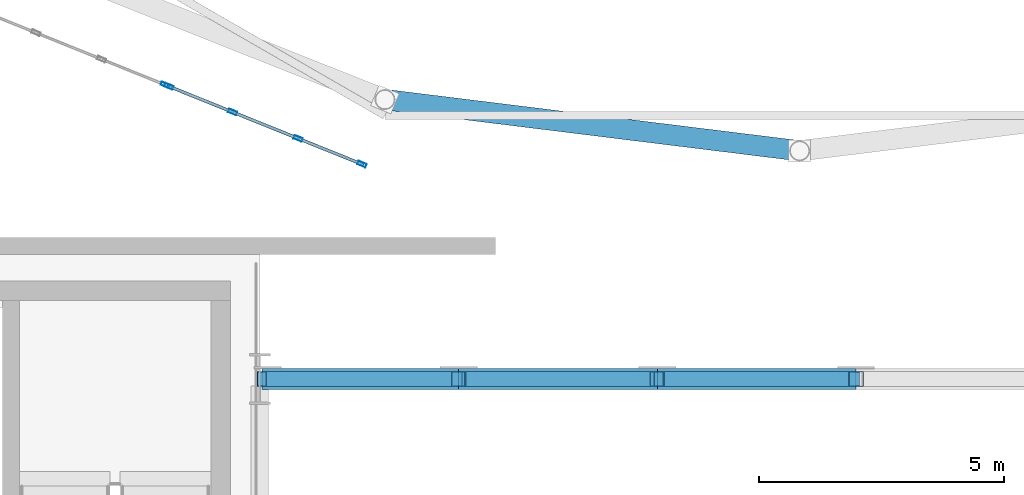
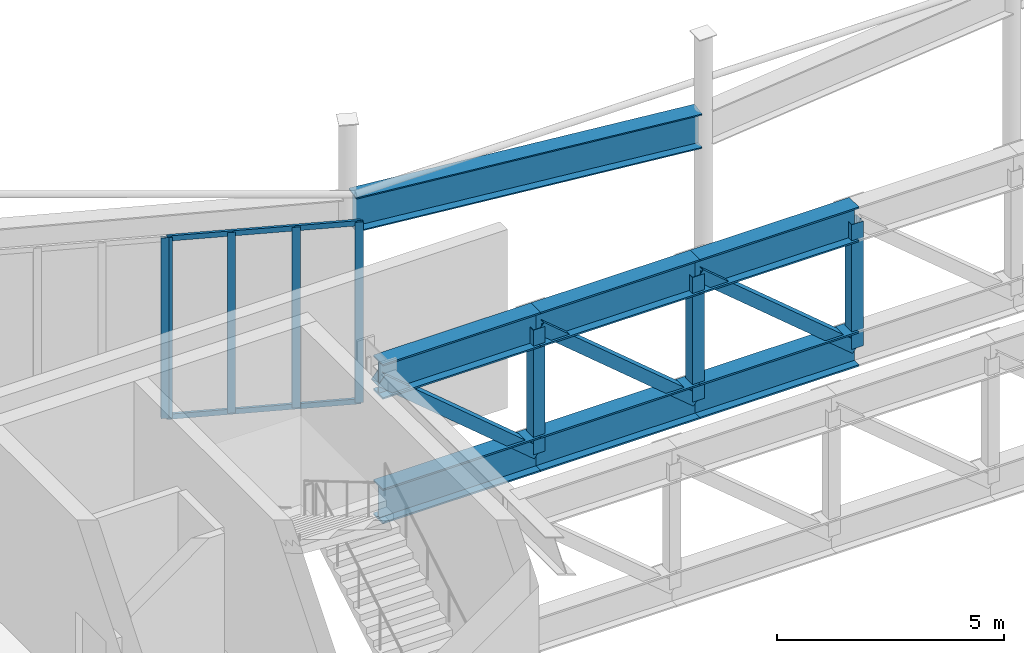
# One storey, part 27 of 91: 13 members, 7 beams, 2 elements without a shape of their own.
"""IFC4 building model written with IfcOpenShell, lengths in metres."""

import ifcopenshell
import ifcopenshell.guid

model = None  # the IFC model being written
_history = None  # IfcOwnerHistory: only IFC2X3 demands one
_inside = {}  # id of a spatial element -> (the spatial element, [elements in it])
_under = {}  # id of a project, library or spatial element -> (it, [spatial elements below it])
_declared = {}  # id of a project -> (the project, [libraries it declares])
_typed = {}  # id of a type object -> (the type object, [elements of that type])
_made_of = {}  # id of a material, layer set ... -> (it, [elements and type objects made of it])


def new_model(schema):
    """Start an empty IFC model of exactly this schema.

    Asked for "IFC4X3", IfcOpenShell would pick the latest addendum, in which some entities
    have other attributes; the version numbers below select the first issue.
    IFC2X3 requires an IfcOwnerHistory on every rooted entity: one is made here for all.
    """
    global model, _history
    if schema == "IFC4X3":
        model = ifcopenshell.file(schema_version=(4, 3, 0, 0))
    else:
        model = ifcopenshell.file(schema=schema)
    _inside.clear()
    _under.clear()
    _declared.clear()
    _typed.clear()
    _made_of.clear()
    _history = None
    if model.schema == "IFC2X3":
        org = make("IfcOrganization", Name="unknown")
        user = make(
            "IfcPersonAndOrganization",
            ThePerson=make("IfcPerson", FamilyName="unknown"),
            TheOrganization=org,
        )
        app = make(
            "IfcApplication",
            ApplicationDeveloper=org,
            Version="unknown",
            ApplicationFullName="unknown",
            ApplicationIdentifier="unknown",
        )
        _history = make(
            "IfcOwnerHistory",
            OwningUser=user,
            OwningApplication=app,
            ChangeAction="ADDED",
            CreationDate=0,
        )
    return model


def make(cls, **values):
    """One entity of the class cls with the attributes given. An attribute that is None is left unset."""
    return model.create_entity(
        cls, **{name: value for name, value in values.items() if value is not None}
    )


def rooted(cls, **values):
    """An entity with a GlobalId (a new one), such as an element, a storey or a relation."""
    return make(cls, GlobalId=ifcopenshell.guid.new(), OwnerHistory=_history, **values)


def si_unit(unit_type, name, prefix=None):
    """IfcSIUnit, for example si_unit("LENGTHUNIT", "METRE", prefix="MILLI")."""
    return make("IfcSIUnit", UnitType=unit_type, Prefix=prefix, Name=name)


def assignment(units):
    """IfcUnitAssignment: the units of a project."""
    return None if units is None else make("IfcUnitAssignment", Units=units)


def point(xyz):
    """IfcCartesianPoint."""
    return None if xyz is None else make("IfcCartesianPoint", Coordinates=xyz)


def direction(xyz):
    """IfcDirection."""
    return None if xyz is None else make("IfcDirection", DirectionRatios=xyz)


def frame(location, z_axis=None, x_axis=None):
    """IfcAxis2Placement3D, a coordinate frame: its origin and axes. An axis left out is left unset."""
    return make(
        "IfcAxis2Placement3D",
        Location=point(location),
        Axis=direction(z_axis),
        RefDirection=direction(x_axis),
    )


def frame_2d(location, x_axis=None):
    """IfcAxis2Placement2D, a coordinate frame in the plane: its origin and x axis."""
    return make(
        "IfcAxis2Placement2D", Location=point(location), RefDirection=direction(x_axis)
    )


def origin():
    """The frame at (0, 0, 0) with its axes left unset."""
    return frame((0.0, 0.0, 0.0))


def origin_2d():
    """The frame at (0, 0) in the plane with its x axis left unset."""
    return frame_2d((0.0, 0.0))


def place(relative_to, where):
    """IfcLocalPlacement: puts the frame where relative to a parent placement (None: the world)."""
    return make(
        "IfcLocalPlacement", PlacementRelTo=relative_to, RelativePlacement=where
    )


def context(
    kind, dimensions, precision=None, world=None, true_north=None, identifier=None
):
    """IfcGeometricRepresentationContext, for example the 3D "Model" context."""
    return make(
        "IfcGeometricRepresentationContext",
        ContextIdentifier=identifier,
        ContextType=kind,
        CoordinateSpaceDimension=dimensions,
        Precision=precision,
        WorldCoordinateSystem=world,
        TrueNorth=true_north,
    )


def subcontext(parent, identifier, kind, view, scale=None):
    """IfcGeometricRepresentationSubContext, for example "Body" below "Model"."""
    return make(
        "IfcGeometricRepresentationSubContext",
        ContextIdentifier=identifier,
        ContextType=kind,
        ParentContext=parent,
        TargetScale=scale,
        TargetView=view,
    )


def project(units=None, contexts=None):
    """IfcProject with its units and contexts."""
    return rooted(
        "IfcProject",
        Name="project",
        RepresentationContexts=contexts,
        UnitsInContext=assignment(units),
    )


def spatial(cls, under=None, at=None, **own):
    """A site, building, storey or space (cls), placed at a placement, below another one or the project."""
    s = rooted(cls, ObjectPlacement=at, **own)
    if under is not None:
        _under.setdefault(under.id(), (under, []))[1].append(s)
    return s


def profile(cls, at=None, kind="AREA", **sizes):
    """A parametric profile (cls). Its sizes go by their IFC names, for example OverallWidth=200.0."""
    return make(cls, ProfileType=kind, Position=at, **sizes)


def hollow_rectangle(**sizes):
    """IfcRectangleHollowProfileDef."""
    return profile("IfcRectangleHollowProfileDef", **sizes)


def i_section(**sizes):
    """IfcIShapeProfileDef."""
    return profile("IfcIShapeProfileDef", **sizes)


def extrude(swept, where, along, depth):
    """IfcExtrudedAreaSolid: the profile swept, set in the frame where, extruded along a direction by depth."""
    return make(
        "IfcExtrudedAreaSolid",
        SweptArea=swept,
        Position=where,
        ExtrudedDirection=direction(along),
        Depth=depth,
    )


def shape(context_of_items, identifier, shape_type, items):
    """IfcShapeRepresentation: the items that make up one representation, for example the "Body"."""
    return make(
        "IfcShapeRepresentation",
        ContextOfItems=context_of_items,
        RepresentationIdentifier=identifier,
        RepresentationType=shape_type,
        Items=items,
    )


def material(Name=None, Category=None):
    """IfcMaterial."""
    return make("IfcMaterial", Name=Name, Category=Category)


def layer(
    of_material, thickness, ventilated=None, Name=None, Category=None, Priority=None
):
    """IfcMaterialLayer: one layer of a wall or slab, of a material (None: an air gap)."""
    return make(
        "IfcMaterialLayer",
        Material=of_material,
        LayerThickness=thickness,
        IsVentilated=ventilated,
        Name=Name,
        Category=Category,
        Priority=Priority,
    )


def layer_set(layers, Name=None):
    """IfcMaterialLayerSet."""
    return make("IfcMaterialLayerSet", MaterialLayers=layers, LayerSetName=Name)


def material_profile(
    of_material, cross_section, Name=None, Category=None, Priority=None
):
    """IfcMaterialProfile: a cross section and its material."""
    return make(
        "IfcMaterialProfile",
        Name=Name,
        Material=of_material,
        Profile=cross_section,
        Priority=Priority,
        Category=Category,
    )


def profile_set(profiles, Name=None, composite=None):
    """IfcMaterialProfileSet."""
    return make(
        "IfcMaterialProfileSet",
        Name=Name,
        MaterialProfiles=profiles,
        CompositeProfile=composite,
    )


def made_of(thing, what):
    """Note that an element or type object is made of a material, layer set ...; save() writes the relation."""
    if what is not None:
        _made_of.setdefault(what.id(), (what, []))[1].append(thing)
    return thing


def type_object(cls, material=None, **own):
    """A type object (cls), such as IfcWallType, which elements share."""
    return made_of(rooted(cls, **own), material)


def element(
    cls,
    number,
    at=None,
    inside=None,
    cuts=None,
    type_object=None,
    material=None,
    context=None,
    identifier="Body",
    shape_type=None,
    held_by="IfcProductDefinitionShape",
    body=None,
    shapes=None,
    **own,
):
    """One element of the class cls, such as IfcWall. Its Tag is "e" and its number.

    at: its placement. inside: the storey or other place that contains it. cuts: it is an
    opening in that element (IfcRelVoidsElement). A single representation is given by context,
    identifier, shape_type and body (its items); several are given by shapes. held_by: the class
    of the entity that holds the representations. save() writes the other relations.
    """
    e = rooted(cls, Tag="e%d" % number, ObjectPlacement=at, **own)
    if body is not None:
        shapes = [shape(context, identifier, shape_type, body)]
    if shapes is not None:
        e.Representation = make(held_by, Representations=shapes)
    if inside is not None:
        _inside.setdefault(inside.id(), (inside, []))[1].append(e)
    if cuts is not None:
        rooted(
            "IfcRelVoidsElement", RelatingBuildingElement=cuts, RelatedOpeningElement=e
        )
    if type_object is not None:
        _typed.setdefault(type_object.id(), (type_object, []))[1].append(e)
    return made_of(e, material)


def aggregate(whole, parts):
    """IfcRelAggregates: a whole, such as a stair, and the parts it consists of."""
    return rooted("IfcRelAggregates", RelatingObject=whole, RelatedObjects=parts)


def save(model, path):
    """Write the relations noted so far, then the file.

    IfcRelAggregates (storeys below a building ...), IfcRelContainedInSpatialStructure (elements
    in a storey), IfcRelDefinesByType, IfcRelAssociatesMaterial and IfcRelDeclares: one each for
    every whole, place, type object, material and project.
    """
    for whole, parts in _under.values():
        aggregate(whole, parts)
    for where, things in _inside.values():
        rooted(
            "IfcRelContainedInSpatialStructure",
            RelatedElements=things,
            RelatingStructure=where,
        )
    for kind, things in _typed.values():
        rooted("IfcRelDefinesByType", RelatedObjects=things, RelatingType=kind)
    for what, things in _made_of.values():
        rooted("IfcRelAssociatesMaterial", RelatedObjects=things, RelatingMaterial=what)
    for by, libraries in _declared.values():
        rooted("IfcRelDeclares", RelatingContext=by, RelatedDefinitions=libraries)
    model.write(path)


model = new_model("IFC4")

# Units and contexts
model_context = context("Model", 3, precision=1e-05, world=origin(), true_north=direction((0.0, 1.0)))
body_context = subcontext(model_context, "Body", "Model", "MODEL_VIEW")
ifc_project = project(units=[si_unit("LENGTHUNIT", "METRE"), si_unit("AREAUNIT", "SQUARE_METRE"), si_unit("VOLUMEUNIT", "CUBIC_METRE"), si_unit("PLANEANGLEUNIT", "RADIAN"), si_unit("MASSUNIT", "GRAM", prefix="KILO")], contexts=[model_context])

# Site, building, storey
site_placement = place(None, origin())
site = spatial("IfcSite", under=ifc_project, at=site_placement, CompositionType="ELEMENT")
building_placement = place(site_placement, origin())
building = spatial("IfcBuilding", under=site, at=building_placement, Name="Sollismere Congress Hotel", CompositionType="ELEMENT")
storey_placement = place(building_placement, frame((0.0, 0.0, 10.800048828125)))
storey = spatial("IfcBuildingStorey", under=building, at=storey_placement, Name="L02", CompositionType="ELEMENT", Elevation=10.800048828125)

# Beams
ifc_material_1 = material(Name="Steel ASTM A992 Grade 50", Category="steel")
ifc_material_profile_1 = material_profile(ifc_material_1, i_section(OverallWidth=0.4189453125, OverallDepth=0.927001953125, WebThickness=0.019287109375, FlangeThickness=0.031982421875, at=origin_2d()), Name="W36X231")
ifc_profile_set_1 = profile_set([ifc_material_profile_1], Name="Steel ASTM A992 Grade 50")
beam_type_1 = type_object("IfcBeamType", Name="BM-RG36", PredefinedType="SPANDREL", material=ifc_profile_set_1)
beam_placement = place(storey_placement, frame((20.66748046875, 70.080078125, 4.156494140625), z_axis=(0.992444891413, -0.122691228327, 0.0), x_axis=(0.122691228327, 0.992444891413, 0.0)))
element("IfcBeam", 1, at=beam_placement, inside=storey, type_object=beam_type_1, Name="Beam BM-L02-4220", PredefinedType="SPANDREL", context=body_context, shape_type="SweptSolid", body=[
    extrude(i_section(OverallWidth=0.4189453125, OverallDepth=0.927001953125, WebThickness=0.019287109375, FlangeThickness=0.031982421875, at=origin_2d()), origin(), (0.0, 0.0, 1.0), 8.27587890625),
])
ifc_material_profile_2 = material_profile(ifc_material_1, i_section(OverallWidth=0.424072265625, OverallDepth=0.93994140625, WebThickness=0.02392578125, FlangeThickness=0.042724609375, at=origin_2d()), Name="W36X302")
ifc_profile_set_2 = profile_set([ifc_material_profile_2], Name="Steel ASTM A992 Grade 50")
beam_type_2 = type_object("IfcBeamType", Name="BM-TC36", PredefinedType="BEAM", material=ifc_profile_set_2)
for number, where, z_axis, x_axis, name in (
    (2, (18.0400390625, 64.39990234375, 4.030029296875), (1.0, 0.0, 0.0), (0.0, 1.0, 0.0), "Transfer truss chord BM-L02-4128"),
    (3, (18.0400390625, 64.39990234375, 0.679931640625), (1.0, 0.0, 0.0), (0.0, 1.0, 0.0), "Transfer truss chord BM-L02-4129"),
):
    element("IfcBeam", number, at=place(storey_placement, frame(where, z_axis=z_axis, x_axis=x_axis)), inside=storey, type_object=beam_type_2, Name=name, PredefinedType="BEAM", context=body_context, shape_type="SweptSolid", body=[
        extrude(i_section(OverallWidth=0.424072265625, OverallDepth=0.93994140625, WebThickness=0.02392578125, FlangeThickness=0.042724609375, at=origin_2d()), origin(), (0.0, 0.0, 1.0), 4.010009765625),
    ])
for number, where, z_axis, x_axis, name in (
    (4, (22.050048828125, 64.39990234375, 4.030029296875), (1.0, 0.0, 0.0), (0.0, 1.0, 0.0), "Transfer truss chord BM-L02-4130"),
    (5, (22.050048828125, 64.39990234375, 0.679931640625), (1.0, 0.0, 0.0), (0.0, 1.0, 0.0), "Transfer truss chord BM-L02-4131"),
):
    element("IfcBeam", number, at=place(storey_placement, frame(where, z_axis=z_axis, x_axis=x_axis)), inside=storey, type_object=beam_type_2, Name=name, PredefinedType="BEAM", context=body_context, shape_type="SweptSolid", body=[
        extrude(i_section(OverallWidth=0.424072265625, OverallDepth=0.93994140625, WebThickness=0.02392578125, FlangeThickness=0.042724609375, at=origin_2d()), origin(), (0.0, 0.0, 1.0), 4.050048828125),
    ])
for number, where, z_axis, x_axis, name in (
    (6, (26.10009765625, 64.39990234375, 4.030029296875), (1.0, 0.0, 0.0), (0.0, 1.0, 0.0), "Transfer truss chord BM-L02-4132"),
    (7, (26.10009765625, 64.39990234375, 0.679931640625), (1.0, 0.0, 0.0), (0.0, 1.0, 0.0), "Transfer truss chord BM-L02-4133"),
):
    element("IfcBeam", number, at=place(storey_placement, frame(where, z_axis=z_axis, x_axis=x_axis)), inside=storey, type_object=beam_type_2, Name=name, PredefinedType="BEAM", context=body_context, shape_type="SweptSolid", body=[
        extrude(i_section(OverallWidth=0.424072265625, OverallDepth=0.93994140625, WebThickness=0.02392578125, FlangeThickness=0.042724609375, at=origin_2d()), origin(), (0.0, 0.0, 1.0), 4.0498046875),
    ])

# Members
ifc_material_2 = material(Name="Steel ASTM A500 Grade C", Category="steel")
ifc_material_profile_3 = material_profile(ifc_material_2, hollow_rectangle(XDim=0.300048828125, YDim=0.300048828125, WallThickness=0.011962890625, at=origin_2d()), Name="HSS300X300X12")
ifc_profile_set_3 = profile_set([ifc_material_profile_3], Name="Steel ASTM A500 Grade C")
member_type_1 = type_object("IfcMemberType", Name="MB-BR300", PredefinedType="BRACE", material=ifc_profile_set_3)
member_1_placement = place(storey_placement, frame((18.0400390625, 64.39990234375, 4.030029296875), z_axis=(0.765049916178, 0.0, -0.643970982076), x_axis=(0.0, 1.0, 0.0)))
element("IfcMember", 8, at=member_1_placement, inside=storey, type_object=member_type_1, Name="MBT-61 diagonal brace", PredefinedType="BRACE", context=body_context, shape_type="SweptSolid", body=[
    extrude(hollow_rectangle(XDim=0.300048828125, YDim=0.300048828125, WallThickness=0.011962890625, at=origin_2d()), origin(), (0.0, 0.0, 1.0), 5.2021484375),
])
member_2_placement = place(storey_placement, frame((22.080078125, 64.39990234375, 4.030029296875), z_axis=(0.765846088126, 0.0, -0.643023925917), x_axis=(0.0, 1.0, 0.0)))
element("IfcMember", 9, at=member_2_placement, inside=storey, type_object=member_type_1, Name="MBT-62 diagonal brace", PredefinedType="BRACE", context=body_context, shape_type="SweptSolid", body=[
    extrude(hollow_rectangle(XDim=0.300048828125, YDim=0.300048828125, WallThickness=0.011962890625, at=origin_2d()), origin(), (0.0, 0.0, 1.0), 5.2099609375),
])
member_3_placement = place(storey_placement, frame((26.1298828125, 64.39990234375, 4.030029296875), z_axis=(0.765865463077, 0.0, -0.643000849507), x_axis=(0.0, 1.0, 0.0)))
element("IfcMember", 10, at=member_3_placement, inside=storey, type_object=member_type_1, Name="MBT-63 diagonal brace", PredefinedType="BRACE", context=body_context, shape_type="SweptSolid", body=[
    extrude(hollow_rectangle(XDim=0.300048828125, YDim=0.300048828125, WallThickness=0.011962890625, at=origin_2d()), origin(), (0.0, 0.0, 1.0), 5.210205078125),
])
ifc_material_profile_4 = material_profile(ifc_material_2, hollow_rectangle(XDim=0.300048828125, YDim=0.300048828125, WallThickness=0.011962890625, at=origin_2d()), Name="HSS300X300X12")
ifc_profile_set_4 = profile_set([ifc_material_profile_4], Name="Steel ASTM A500 Grade C")
member_type_2 = type_object("IfcMemberType", Name="MB-ST300", PredefinedType="STRUT", material=ifc_profile_set_4)
for number, where, z_axis, x_axis, name in (
    (11, (22.050048828125, 64.39990234375, 0.679931640625), (0.0, 0.0, 1.0), (1.0, 0.0, 0.0), "MVT-61 transfer truss strut"),
    (12, (26.10009765625, 64.39990234375, 0.679931640625), (0.0, 0.0, 1.0), (1.0, 0.0, 0.0), "MVT-62 transfer truss strut"),
    (13, (30.14990234375, 64.39990234375, 0.679931640625), (0.0, 0.0, 1.0), (1.0, 0.0, 0.0), "MVT-63 transfer truss strut"),
):
    element("IfcMember", number, at=place(storey_placement, frame(where, z_axis=z_axis, x_axis=x_axis)), inside=storey, type_object=member_type_2, Name=name, PredefinedType="STRUT", context=body_context, shape_type="SweptSolid", body=[
        extrude(hollow_rectangle(XDim=0.300048828125, YDim=0.300048828125, WallThickness=0.011962890625, at=origin_2d()), origin(), (0.0, 0.0, 1.0), 3.35009765625),
    ])

# Curtain wall, member
ifc_material_3 = material(Name="Anodized Bronze Curtain Wall & Low-E Triple Glazing", Category="glass")
ifc_layer = layer(ifc_material_3, 0.199951171875, Name="Anodized Bronze Curtain Wall & Low-E Triple Glazing")
ifc_layer_set = layer_set([ifc_layer], Name="Anodized Bronze Curtain Wall & Low-E Triple Glazing")
curtain_wall_type = type_object("IfcCurtainWallType", Name="CW-GLZ36", PredefinedType="USERDEFINED", material=ifc_layer_set)
curtain_wall_1_placement = place(storey_placement, origin())
curtain_wall_1 = element("IfcCurtainWall", 14, at=curtain_wall_1_placement, inside=storey, type_object=curtain_wall_type, Name="Unitised curtain wall CW-L02-063", ObjectType="UNITISED CURTAIN WALL", PredefinedType="USERDEFINED")
ifc_material_4 = material(Name="Anodized Aluminum 6063-T6", Category="aluminium")
ifc_material_profile_5 = material_profile(ifc_material_4, hollow_rectangle(XDim=0.074951171875, YDim=0.179931640625, WallThickness=0.0048828125, at=origin_2d()), Name="ALU180X75X5")
ifc_profile_set_5 = profile_set([ifc_material_profile_5], Name="Anodized Aluminum 6063-T6")
member_type_3 = type_object("IfcMemberType", Name="ML-CW180", PredefinedType="MULLION", material=ifc_profile_set_5)
member_4_placement = place(storey_placement, frame((16.0732421875, 70.393310546875, 0.0), z_axis=(0.0, 0.0, 1.0), x_axis=(0.373943018709, 0.927451680013, 0.0)))
member_4 = element("IfcMember", 15, at=member_4_placement, type_object=member_type_3, Name="CWL-CW-L02-063-ML04", PredefinedType="MULLION", context=body_context, shape_type="SweptSolid", body=[
    extrude(hollow_rectangle(XDim=0.074951171875, YDim=0.179931640625, WallThickness=0.0048828125, at=origin_2d()), origin(), (0.0, 0.0, 1.0), 4.85986328125),
])
aggregate(curtain_wall_1, [member_4])

# Curtain wall, members
curtain_wall_2_placement = place(storey_placement, origin())
curtain_wall_2 = element("IfcCurtainWall", 16, at=curtain_wall_2_placement, inside=storey, type_object=curtain_wall_type, Name="Unitised curtain wall CW-L02-064", ObjectType="UNITISED CURTAIN WALL", PredefinedType="USERDEFINED")
member_5_placement = place(storey_placement, frame((16.143798828125, 70.364990234375, 0.0), z_axis=(0.0, 0.0, 1.0), x_axis=(0.373943018709, 0.927451680013, 0.0)))
member_5 = element("IfcMember", 17, at=member_5_placement, type_object=member_type_3, Name="CWL-CW-L02-064-ML01", PredefinedType="MULLION", context=body_context, shape_type="SweptSolid", body=[
    extrude(hollow_rectangle(XDim=0.074951171875, YDim=0.179931640625, WallThickness=0.0048828125, at=origin_2d()), origin(), (0.0, 0.0, 1.0), 4.85986328125),
])
member_6_placement = place(storey_placement, frame((17.4443359375, 69.840576171875, 0.0), z_axis=(0.0, 0.0, 1.0), x_axis=(0.373943018709, 0.927451680013, 0.0)))
member_6 = element("IfcMember", 18, at=member_6_placement, type_object=member_type_3, Name="CWL-CW-L02-064-ML02", PredefinedType="MULLION", context=body_context, shape_type="SweptSolid", body=[
    extrude(hollow_rectangle(XDim=0.074951171875, YDim=0.179931640625, WallThickness=0.0048828125, at=origin_2d()), origin(), (0.0, 0.0, 1.0), 4.85986328125),
])
member_7_placement = place(storey_placement, frame((18.780029296875, 69.302001953125, 0.0), z_axis=(0.0, 0.0, 1.0), x_axis=(0.373943018709, 0.927451680013, 0.0)))
member_7 = element("IfcMember", 19, at=member_7_placement, type_object=member_type_3, Name="CWL-CW-L02-064-ML03", PredefinedType="MULLION", context=body_context, shape_type="SweptSolid", body=[
    extrude(hollow_rectangle(XDim=0.074951171875, YDim=0.179931640625, WallThickness=0.0048828125, at=origin_2d()), origin(), (0.0, 0.0, 1.0), 4.85986328125),
])
member_8_placement = place(storey_placement, frame((20.08056640625, 68.777587890625, 0.0), z_axis=(0.0, 0.0, 1.0), x_axis=(0.373943018709, 0.927451680013, 0.0)))
member_8 = element("IfcMember", 20, at=member_8_placement, type_object=member_type_3, Name="CWL-CW-L02-064-ML04", PredefinedType="MULLION", context=body_context, shape_type="SweptSolid", body=[
    extrude(hollow_rectangle(XDim=0.074951171875, YDim=0.179931640625, WallThickness=0.0048828125, at=origin_2d()), origin(), (0.0, 0.0, 1.0), 4.85986328125),
])
ifc_material_profile_6 = material_profile(ifc_material_4, hollow_rectangle(XDim=0.06494140625, YDim=0.139892578125, WallThickness=0.00390625, at=origin_2d()), Name="ALU140X65X4")
ifc_profile_set_6 = profile_set([ifc_material_profile_6], Name="Anodized Aluminum 6063-T6")
member_type_4 = type_object("IfcMemberType", Name="TR-CW150", PredefinedType="MEMBER", material=ifc_profile_set_6)
member_9_placement = place(storey_placement, frame((16.1083984375, 70.379150390625, 0.032470703125), z_axis=(0.927452218611, -0.373941682878, 0.0), x_axis=(0.373941682878, 0.927452218611, 0.0)))
member_9 = element("IfcMember", 21, at=member_9_placement, type_object=member_type_4, Name="CWL-CW-L02-064-TR1", PredefinedType="MEMBER", context=body_context, shape_type="SweptSolid", body=[
    extrude(hollow_rectangle(XDim=0.06494140625, YDim=0.139892578125, WallThickness=0.00390625, at=origin_2d()), origin(), (0.0, 0.0, 1.0), 4.32080078125),
])
member_10_placement = place(storey_placement, frame((16.1083984375, 70.379150390625, 4.827392578125), z_axis=(0.927452218611, -0.373941682878, 0.0), x_axis=(0.373941682878, 0.927452218611, 0.0)))
member_10 = element("IfcMember", 22, at=member_10_placement, type_object=member_type_4, Name="CWL-CW-L02-064-TR2", PredefinedType="MEMBER", context=body_context, shape_type="SweptSolid", body=[
    extrude(hollow_rectangle(XDim=0.06494140625, YDim=0.139892578125, WallThickness=0.00390625, at=origin_2d()), origin(), (0.0, 0.0, 1.0), 4.32080078125),
])
aggregate(curtain_wall_2, [member_5, member_6, member_7, member_8, member_9, member_10])

save(model, "model.ifc")
